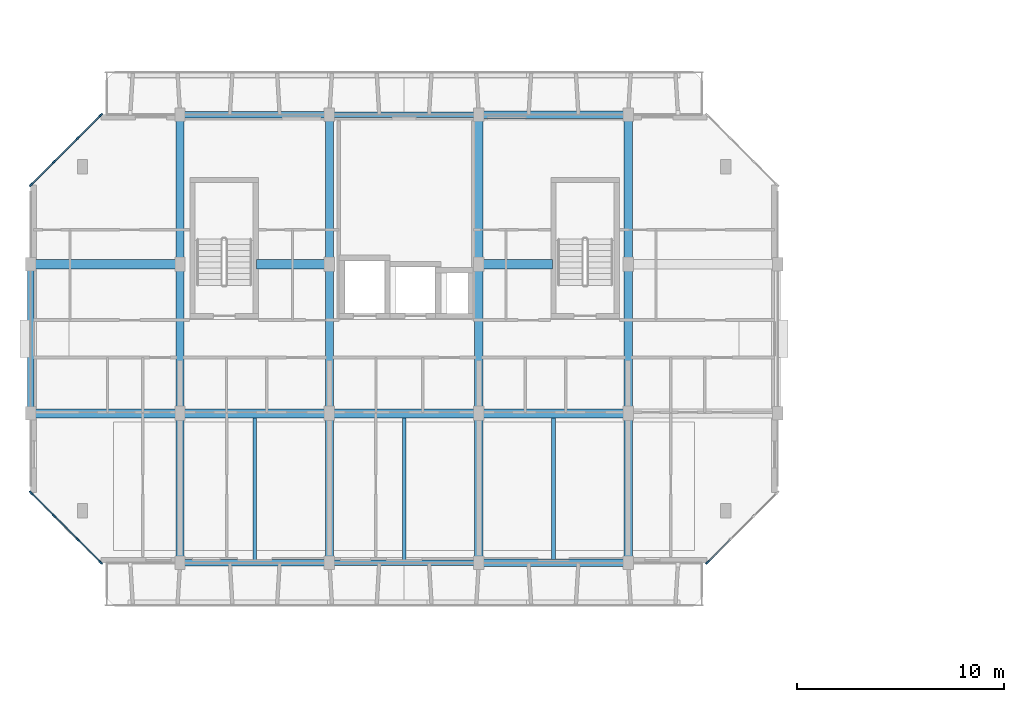
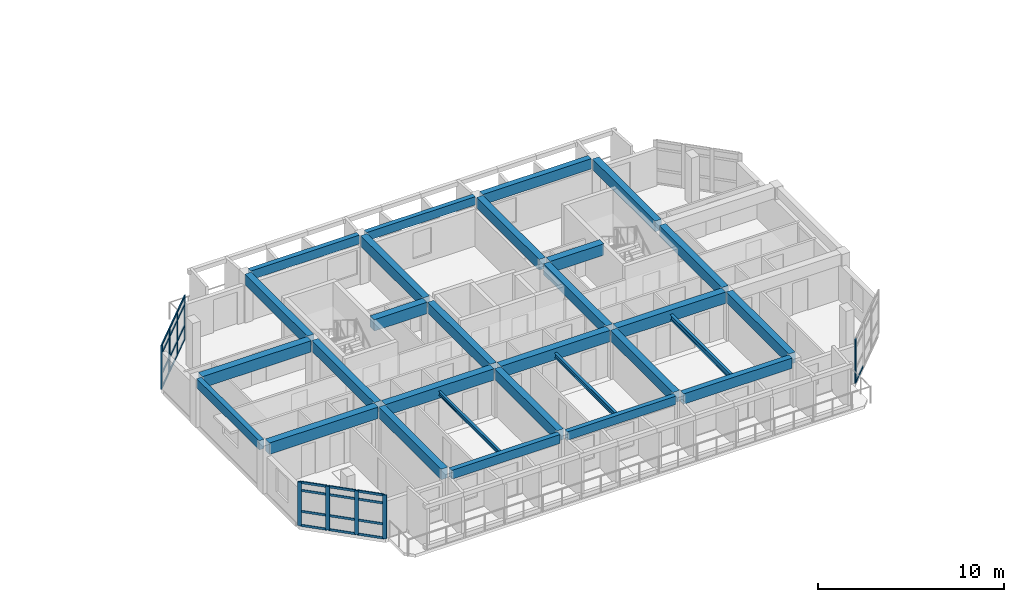
# One storey, part 6 of 64: 34 members, 29 beams, 3 elements without a shape of their own.
"""IFC4 building model written with IfcOpenShell, lengths in metres."""

import ifcopenshell
import ifcopenshell.guid

model = None  # the IFC model being written
_history = None  # IfcOwnerHistory: only IFC2X3 demands one
_inside = {}  # id of a spatial element -> (the spatial element, [elements in it])
_under = {}  # id of a project, library or spatial element -> (it, [spatial elements below it])
_declared = {}  # id of a project -> (the project, [libraries it declares])
_typed = {}  # id of a type object -> (the type object, [elements of that type])
_made_of = {}  # id of a material, layer set ... -> (it, [elements and type objects made of it])


def new_model(schema):
    """Start an empty IFC model of exactly this schema.

    Asked for "IFC4X3", IfcOpenShell would pick the latest addendum, in which some entities
    have other attributes; the version numbers below select the first issue.
    IFC2X3 requires an IfcOwnerHistory on every rooted entity: one is made here for all.
    """
    global model, _history
    if schema == "IFC4X3":
        model = ifcopenshell.file(schema_version=(4, 3, 0, 0))
    else:
        model = ifcopenshell.file(schema=schema)
    _inside.clear()
    _under.clear()
    _declared.clear()
    _typed.clear()
    _made_of.clear()
    _history = None
    if model.schema == "IFC2X3":
        org = make("IfcOrganization", Name="unknown")
        user = make(
            "IfcPersonAndOrganization",
            ThePerson=make("IfcPerson", FamilyName="unknown"),
            TheOrganization=org,
        )
        app = make(
            "IfcApplication",
            ApplicationDeveloper=org,
            Version="unknown",
            ApplicationFullName="unknown",
            ApplicationIdentifier="unknown",
        )
        _history = make(
            "IfcOwnerHistory",
            OwningUser=user,
            OwningApplication=app,
            ChangeAction="ADDED",
            CreationDate=0,
        )
    return model


def make(cls, **values):
    """One entity of the class cls with the attributes given. An attribute that is None is left unset."""
    return model.create_entity(
        cls, **{name: value for name, value in values.items() if value is not None}
    )


def rooted(cls, **values):
    """An entity with a GlobalId (a new one), such as an element, a storey or a relation."""
    return make(cls, GlobalId=ifcopenshell.guid.new(), OwnerHistory=_history, **values)


def si_unit(unit_type, name, prefix=None):
    """IfcSIUnit, for example si_unit("LENGTHUNIT", "METRE", prefix="MILLI")."""
    return make("IfcSIUnit", UnitType=unit_type, Prefix=prefix, Name=name)


def assignment(units):
    """IfcUnitAssignment: the units of a project."""
    return None if units is None else make("IfcUnitAssignment", Units=units)


def point(xyz):
    """IfcCartesianPoint."""
    return None if xyz is None else make("IfcCartesianPoint", Coordinates=xyz)


def direction(xyz):
    """IfcDirection."""
    return None if xyz is None else make("IfcDirection", DirectionRatios=xyz)


def frame(location, z_axis=None, x_axis=None):
    """IfcAxis2Placement3D, a coordinate frame: its origin and axes. An axis left out is left unset."""
    return make(
        "IfcAxis2Placement3D",
        Location=point(location),
        Axis=direction(z_axis),
        RefDirection=direction(x_axis),
    )


def frame_2d(location, x_axis=None):
    """IfcAxis2Placement2D, a coordinate frame in the plane: its origin and x axis."""
    return make(
        "IfcAxis2Placement2D", Location=point(location), RefDirection=direction(x_axis)
    )


def origin():
    """The frame at (0, 0, 0) with its axes left unset."""
    return frame((0.0, 0.0, 0.0))


def origin_2d():
    """The frame at (0, 0) in the plane with its x axis left unset."""
    return frame_2d((0.0, 0.0))


def place(relative_to, where):
    """IfcLocalPlacement: puts the frame where relative to a parent placement (None: the world)."""
    return make(
        "IfcLocalPlacement", PlacementRelTo=relative_to, RelativePlacement=where
    )


def context(
    kind, dimensions, precision=None, world=None, true_north=None, identifier=None
):
    """IfcGeometricRepresentationContext, for example the 3D "Model" context."""
    return make(
        "IfcGeometricRepresentationContext",
        ContextIdentifier=identifier,
        ContextType=kind,
        CoordinateSpaceDimension=dimensions,
        Precision=precision,
        WorldCoordinateSystem=world,
        TrueNorth=true_north,
    )


def subcontext(parent, identifier, kind, view, scale=None):
    """IfcGeometricRepresentationSubContext, for example "Body" below "Model"."""
    return make(
        "IfcGeometricRepresentationSubContext",
        ContextIdentifier=identifier,
        ContextType=kind,
        ParentContext=parent,
        TargetScale=scale,
        TargetView=view,
    )


def project(units=None, contexts=None):
    """IfcProject with its units and contexts."""
    return rooted(
        "IfcProject",
        Name="project",
        RepresentationContexts=contexts,
        UnitsInContext=assignment(units),
    )


def spatial(cls, under=None, at=None, **own):
    """A site, building, storey or space (cls), placed at a placement, below another one or the project."""
    s = rooted(cls, ObjectPlacement=at, **own)
    if under is not None:
        _under.setdefault(under.id(), (under, []))[1].append(s)
    return s


def profile(cls, at=None, kind="AREA", **sizes):
    """A parametric profile (cls). Its sizes go by their IFC names, for example OverallWidth=200.0."""
    return make(cls, ProfileType=kind, Position=at, **sizes)


def rectangle(**sizes):
    """IfcRectangleProfileDef."""
    return profile("IfcRectangleProfileDef", **sizes)


def i_section(**sizes):
    """IfcIShapeProfileDef."""
    return profile("IfcIShapeProfileDef", **sizes)


def extrude(swept, where, along, depth):
    """IfcExtrudedAreaSolid: the profile swept, set in the frame where, extruded along a direction by depth."""
    return make(
        "IfcExtrudedAreaSolid",
        SweptArea=swept,
        Position=where,
        ExtrudedDirection=direction(along),
        Depth=depth,
    )


def shape(context_of_items, identifier, shape_type, items):
    """IfcShapeRepresentation: the items that make up one representation, for example the "Body"."""
    return make(
        "IfcShapeRepresentation",
        ContextOfItems=context_of_items,
        RepresentationIdentifier=identifier,
        RepresentationType=shape_type,
        Items=items,
    )


def material(Name=None, Category=None):
    """IfcMaterial."""
    return make("IfcMaterial", Name=Name, Category=Category)


def layer(
    of_material, thickness, ventilated=None, Name=None, Category=None, Priority=None
):
    """IfcMaterialLayer: one layer of a wall or slab, of a material (None: an air gap)."""
    return make(
        "IfcMaterialLayer",
        Material=of_material,
        LayerThickness=thickness,
        IsVentilated=ventilated,
        Name=Name,
        Category=Category,
        Priority=Priority,
    )


def layer_set(layers, Name=None):
    """IfcMaterialLayerSet."""
    return make("IfcMaterialLayerSet", MaterialLayers=layers, LayerSetName=Name)


def material_profile(
    of_material, cross_section, Name=None, Category=None, Priority=None
):
    """IfcMaterialProfile: a cross section and its material."""
    return make(
        "IfcMaterialProfile",
        Name=Name,
        Material=of_material,
        Profile=cross_section,
        Priority=Priority,
        Category=Category,
    )


def profile_set(profiles, Name=None, composite=None):
    """IfcMaterialProfileSet."""
    return make(
        "IfcMaterialProfileSet",
        Name=Name,
        MaterialProfiles=profiles,
        CompositeProfile=composite,
    )


def made_of(thing, what):
    """Note that an element or type object is made of a material, layer set ...; save() writes the relation."""
    if what is not None:
        _made_of.setdefault(what.id(), (what, []))[1].append(thing)
    return thing


def type_object(cls, material=None, **own):
    """A type object (cls), such as IfcWallType, which elements share."""
    return made_of(rooted(cls, **own), material)


def element(
    cls,
    number,
    at=None,
    inside=None,
    cuts=None,
    type_object=None,
    material=None,
    context=None,
    identifier="Body",
    shape_type=None,
    held_by="IfcProductDefinitionShape",
    body=None,
    shapes=None,
    **own,
):
    """One element of the class cls, such as IfcWall. Its Tag is "e" and its number.

    at: its placement. inside: the storey or other place that contains it. cuts: it is an
    opening in that element (IfcRelVoidsElement). A single representation is given by context,
    identifier, shape_type and body (its items); several are given by shapes. held_by: the class
    of the entity that holds the representations. save() writes the other relations.
    """
    e = rooted(cls, Tag="e%d" % number, ObjectPlacement=at, **own)
    if body is not None:
        shapes = [shape(context, identifier, shape_type, body)]
    if shapes is not None:
        e.Representation = make(held_by, Representations=shapes)
    if inside is not None:
        _inside.setdefault(inside.id(), (inside, []))[1].append(e)
    if cuts is not None:
        rooted(
            "IfcRelVoidsElement", RelatingBuildingElement=cuts, RelatedOpeningElement=e
        )
    if type_object is not None:
        _typed.setdefault(type_object.id(), (type_object, []))[1].append(e)
    return made_of(e, material)


def aggregate(whole, parts):
    """IfcRelAggregates: a whole, such as a stair, and the parts it consists of."""
    return rooted("IfcRelAggregates", RelatingObject=whole, RelatedObjects=parts)


def save(model, path):
    """Write the relations noted so far, then the file.

    IfcRelAggregates (storeys below a building ...), IfcRelContainedInSpatialStructure (elements
    in a storey), IfcRelDefinesByType, IfcRelAssociatesMaterial and IfcRelDeclares: one each for
    every whole, place, type object, material and project.
    """
    for whole, parts in _under.values():
        aggregate(whole, parts)
    for where, things in _inside.values():
        rooted(
            "IfcRelContainedInSpatialStructure",
            RelatedElements=things,
            RelatingStructure=where,
        )
    for kind, things in _typed.values():
        rooted("IfcRelDefinesByType", RelatedObjects=things, RelatingType=kind)
    for what, things in _made_of.values():
        rooted("IfcRelAssociatesMaterial", RelatedObjects=things, RelatingMaterial=what)
    for by, libraries in _declared.values():
        rooted("IfcRelDeclares", RelatingContext=by, RelatedDefinitions=libraries)
    model.write(path)


model = new_model("IFC4")

# Units and contexts
model_context = context("Model", 3, precision=1e-05, world=origin(), true_north=direction((0.0, 1.0)))
body_context = subcontext(model_context, "Body", "Model", "MODEL_VIEW")
ifc_project = project(units=[si_unit("LENGTHUNIT", "METRE"), si_unit("AREAUNIT", "SQUARE_METRE"), si_unit("VOLUMEUNIT", "CUBIC_METRE"), si_unit("PLANEANGLEUNIT", "RADIAN"), si_unit("MASSUNIT", "GRAM", prefix="KILO")], contexts=[model_context])

# Site, building, storey
site_placement = place(None, origin())
site = spatial("IfcSite", under=ifc_project, at=site_placement, CompositionType="ELEMENT")
building_placement = place(site_placement, origin())
building = spatial("IfcBuilding", under=site, at=building_placement, Name="Ochrevale Crest", CompositionType="ELEMENT")
storey_placement = place(building_placement, frame((0.0, 0.0, 8.699951171875)))
storey = spatial("IfcBuildingStorey", under=building, at=storey_placement, Name="L02", CompositionType="ELEMENT", Elevation=8.699951171875)

# Beams
ifc_material_1 = material(Name="Precast concrete C50/60", Category="concrete")
ifc_material_profile_1 = material_profile(ifc_material_1, rectangle(XDim=0.39990234375, YDim=0.699951171875, at=origin_2d()), Name="PC 400x700")
ifc_profile_set_1 = profile_set([ifc_material_profile_1], Name="Precast concrete C50/60")
beam_type_1 = type_object("IfcBeamType", Name="BM-PC400x700", PredefinedType="BEAM", material=ifc_profile_set_1)
beam_1_placement = place(storey_placement, frame((7.199951171875, 14.6298828125, 2.800048828125), z_axis=(0.0, 1.0, 0.0), x_axis=(-1.0, 0.0, 0.0)))
element("IfcBeam", 1, at=beam_1_placement, inside=storey, type_object=beam_type_1, Name="Block A L02 N-S beam X=7.2", PredefinedType="BEAM", context=body_context, shape_type="SweptSolid", body=[
    extrude(rectangle(XDim=0.39990234375, YDim=0.699951171875, at=origin_2d()), origin(), (0.0, 0.0, 1.0), 6.740234375),
])
for number, where, z_axis, x_axis, name in (
    (2, (7.199951171875, 21.830078125, 2.800048828125), (0.0, 1.0, 0.0), (-1.0, 0.0, 0.0), "Block A L02 N-S beam X=7.2"),
    (3, (7.199951171875, 29.030029296875, 2.800048828125), (0.0, 1.0, 0.0), (-1.0, 0.0, 0.0), "Block A L02 N-S beam X=7.2"),
):
    element("IfcBeam", number, at=place(storey_placement, frame(where, z_axis=z_axis, x_axis=x_axis)), inside=storey, type_object=beam_type_1, Name=name, PredefinedType="BEAM", context=body_context, shape_type="SweptSolid", body=[
        extrude(rectangle(XDim=0.39990234375, YDim=0.699951171875, at=origin_2d()), origin(), (0.0, 0.0, 1.0), 6.739990234375),
    ])
beam_2_placement = place(storey_placement, frame((14.39990234375, 14.6298828125, 2.800048828125), z_axis=(0.0, 1.0, 0.0), x_axis=(-1.0, 0.0, 0.0)))
element("IfcBeam", 4, at=beam_2_placement, inside=storey, type_object=beam_type_1, Name="Block A L02 N-S beam X=14.4", PredefinedType="BEAM", context=body_context, shape_type="SweptSolid", body=[
    extrude(rectangle(XDim=0.39990234375, YDim=0.699951171875, at=origin_2d()), origin(), (0.0, 0.0, 1.0), 6.740234375),
])
for number, where, z_axis, x_axis, name in (
    (5, (14.39990234375, 21.830078125, 2.800048828125), (0.0, 1.0, 0.0), (-1.0, 0.0, 0.0), "Block A L02 N-S beam X=14.4"),
    (6, (14.39990234375, 29.030029296875, 2.800048828125), (0.0, 1.0, 0.0), (-1.0, 0.0, 0.0), "Block A L02 N-S beam X=14.4"),
):
    element("IfcBeam", number, at=place(storey_placement, frame(where, z_axis=z_axis, x_axis=x_axis)), inside=storey, type_object=beam_type_1, Name=name, PredefinedType="BEAM", context=body_context, shape_type="SweptSolid", body=[
        extrude(rectangle(XDim=0.39990234375, YDim=0.699951171875, at=origin_2d()), origin(), (0.0, 0.0, 1.0), 6.739990234375),
    ])
beam_3_placement = place(storey_placement, frame((21.60009765625, 14.6298828125, 2.800048828125), z_axis=(0.0, 1.0, 0.0), x_axis=(-1.0, 0.0, 0.0)))
element("IfcBeam", 7, at=beam_3_placement, inside=storey, type_object=beam_type_1, Name="Block A L02 N-S beam X=21.6", PredefinedType="BEAM", context=body_context, shape_type="SweptSolid", body=[
    extrude(rectangle(XDim=0.39990234375, YDim=0.699951171875, at=origin_2d()), origin(), (0.0, 0.0, 1.0), 6.740234375),
])
for number, where, z_axis, x_axis, name in (
    (8, (21.60009765625, 21.830078125, 2.800048828125), (0.0, 1.0, 0.0), (-1.0, 0.0, 0.0), "Block A L02 N-S beam X=21.6"),
    (9, (21.60009765625, 29.030029296875, 2.800048828125), (0.0, 1.0, 0.0), (-1.0, 0.0, 0.0), "Block A L02 N-S beam X=21.6"),
):
    element("IfcBeam", number, at=place(storey_placement, frame(where, z_axis=z_axis, x_axis=x_axis)), inside=storey, type_object=beam_type_1, Name=name, PredefinedType="BEAM", context=body_context, shape_type="SweptSolid", body=[
        extrude(rectangle(XDim=0.39990234375, YDim=0.699951171875, at=origin_2d()), origin(), (0.0, 0.0, 1.0), 6.739990234375),
    ])
beam_4_placement = place(storey_placement, frame((28.800048828125, 14.6298828125, 2.800048828125), z_axis=(0.0, 1.0, 0.0), x_axis=(-1.0, 0.0, 0.0)))
element("IfcBeam", 10, at=beam_4_placement, inside=storey, type_object=beam_type_1, Name="Block A L02 N-S beam X=28.8", PredefinedType="BEAM", context=body_context, shape_type="SweptSolid", body=[
    extrude(rectangle(XDim=0.39990234375, YDim=0.699951171875, at=origin_2d()), origin(), (0.0, 0.0, 1.0), 6.740234375),
])
for number, where, z_axis, x_axis, name in (
    (11, (28.800048828125, 21.830078125, 2.800048828125), (0.0, 1.0, 0.0), (-1.0, 0.0, 0.0), "Block A L02 N-S beam X=28.8"),
    (12, (28.800048828125, 29.030029296875, 2.800048828125), (0.0, 1.0, 0.0), (-1.0, 0.0, 0.0), "Block A L02 N-S beam X=28.8"),
):
    element("IfcBeam", number, at=place(storey_placement, frame(where, z_axis=z_axis, x_axis=x_axis)), inside=storey, type_object=beam_type_1, Name=name, PredefinedType="BEAM", context=body_context, shape_type="SweptSolid", body=[
        extrude(rectangle(XDim=0.39990234375, YDim=0.699951171875, at=origin_2d()), origin(), (0.0, 0.0, 1.0), 6.739990234375),
    ])
ifc_material_2 = material(Name="Concrete C50/60", Category="concrete")
ifc_material_profile_2 = material_profile(ifc_material_2, rectangle(XDim=0.449951171875, YDim=0.75, at=origin_2d()), Name="RC 450x750")
ifc_profile_set_2 = profile_set([ifc_material_profile_2], Name="Concrete C50/60")
beam_type_2 = type_object("IfcBeamType", Name="BM-PG450x750", PredefinedType="USERDEFINED", material=ifc_profile_set_2)
for number, where, z_axis, x_axis, name in (
    (13, (0.22509765625, 21.60009765625, 2.775146484375), (1.0, 0.0, 0.0), (0.0, 1.0, 0.0), "Block A L02 E-W beam Y=21.6"),
    (14, (7.425048828125, 21.60009765625, 2.775146484375), (1.0, 0.0, 0.0), (0.0, 1.0, 0.0), "Block A L02 E-W beam Y=21.6"),
    (15, (14.625, 21.60009765625, 2.775146484375), (1.0, 0.0, 0.0), (0.0, 1.0, 0.0), "Block A L02 E-W beam Y=21.6"),
    (16, (21.824951171875, 21.60009765625, 2.775146484375), (1.0, 0.0, 0.0), (0.0, 1.0, 0.0), "Block A L02 E-W beam Y=21.6"),
    (17, (0.22509765625, 28.800048828125, 2.775146484375), (1.0, 0.0, 0.0), (0.0, 1.0, 0.0), "Block A L02 E-W beam Y=28.8"),
):
    element("IfcBeam", number, at=place(storey_placement, frame(where, z_axis=z_axis, x_axis=x_axis)), inside=storey, type_object=beam_type_2, Name=name, ObjectType="GIRDER", PredefinedType="USERDEFINED", context=body_context, shape_type="SweptSolid", body=[
        extrude(rectangle(XDim=0.449951171875, YDim=0.75, at=origin_2d()), origin(), (0.0, 0.0, 1.0), 6.75),
    ])
beam_5_placement = place(storey_placement, frame((10.889892578125, 28.800048828125, 2.775146484375), z_axis=(1.0, 0.0, 0.0), x_axis=(0.0, 1.0, 0.0)))
element("IfcBeam", 18, at=beam_5_placement, inside=storey, type_object=beam_type_2, Name="Block A L02 E-W beam Y=28.8", ObjectType="GIRDER", PredefinedType="USERDEFINED", context=body_context, shape_type="SweptSolid", body=[
    extrude(rectangle(XDim=0.449951171875, YDim=0.75, at=origin_2d()), origin(), (0.0, 0.0, 1.0), 3.28515625),
])
beam_6_placement = place(storey_placement, frame((21.824951171875, 28.800048828125, 2.775146484375), z_axis=(1.0, 0.0, 0.0), x_axis=(0.0, 1.0, 0.0)))
element("IfcBeam", 19, at=beam_6_placement, inside=storey, type_object=beam_type_2, Name="Block A L02 E-W beam Y=28.8", ObjectType="GIRDER", PredefinedType="USERDEFINED", context=body_context, shape_type="SweptSolid", body=[
    extrude(rectangle(XDim=0.449951171875, YDim=0.75, at=origin_2d()), origin(), (0.0, 0.0, 1.0), 3.3349609375),
])
ifc_material_3 = material(Name="Precast concrete C40/50", Category="concrete")
ifc_material_profile_3 = material_profile(ifc_material_3, rectangle(XDim=0.280029296875, YDim=0.550048828125, at=origin_2d()), Name="PC 280x550")
ifc_profile_set_3 = profile_set([ifc_material_profile_3], Name="Precast concrete C40/50")
beam_type_3 = type_object("IfcBeamType", Name="BM-SP280x550", PredefinedType="SPANDREL", material=ifc_profile_set_3)
for number, where, z_axis, x_axis, name in (
    (20, (14.625, 14.39990234375, 2.875), (1.0, 0.0, 0.0), (0.0, 1.0, 0.0), "Block A L02 E-W beam Y=14.4"),
    (21, (14.625, 36.0, 2.875), (1.0, 0.0, 0.0), (0.0, 1.0, 0.0), "Block A L02 E-W beam Y=36.0"),
):
    element("IfcBeam", number, at=place(storey_placement, frame(where, z_axis=z_axis, x_axis=x_axis)), inside=storey, type_object=beam_type_3, Name=name, PredefinedType="SPANDREL", context=body_context, shape_type="SweptSolid", body=[
        extrude(rectangle(XDim=0.280029296875, YDim=0.550048828125, at=origin_2d()), origin(), (0.0, 0.0, 1.0), 6.75),
    ])
ifc_material_profile_4 = material_profile(ifc_material_3, rectangle(XDim=0.300048828125, YDim=0.580078125, at=origin_2d()), Name="PC 300x580")
ifc_profile_set_4 = profile_set([ifc_material_profile_4], Name="Precast concrete C40/50")
beam_type_4 = type_object("IfcBeamType", Name="BM-SP300x580", PredefinedType="SPANDREL", material=ifc_profile_set_4)
for number, where, z_axis, x_axis, name in (
    (22, (7.425048828125, 14.39990234375, 2.860107421875), (1.0, 0.0, 0.0), (0.0, 1.0, 0.0), "Block A L02 E-W beam Y=14.4"),
    (23, (7.425048828125, 36.0, 2.860107421875), (1.0, 0.0, 0.0), (0.0, 1.0, 0.0), "Block A L02 E-W beam Y=36.0"),
):
    element("IfcBeam", number, at=place(storey_placement, frame(where, z_axis=z_axis, x_axis=x_axis)), inside=storey, type_object=beam_type_4, Name=name, PredefinedType="SPANDREL", context=body_context, shape_type="SweptSolid", body=[
        extrude(rectangle(XDim=0.300048828125, YDim=0.580078125, at=origin_2d()), origin(), (0.0, 0.0, 1.0), 6.75),
    ])
ifc_material_profile_5 = material_profile(ifc_material_3, rectangle(XDim=0.300048828125, YDim=0.60009765625, at=origin_2d()), Name="PC 300x600")
ifc_profile_set_5 = profile_set([ifc_material_profile_5], Name="Precast concrete C40/50")
beam_type_5 = type_object("IfcBeamType", Name="BM-SP300x600", PredefinedType="SPANDREL", material=ifc_profile_set_5)
beam_7_placement = place(storey_placement, frame((0.0, 21.830078125, 2.85009765625), z_axis=(0.0, 1.0, 0.0), x_axis=(-1.0, 0.0, 0.0)))
element("IfcBeam", 24, at=beam_7_placement, inside=storey, type_object=beam_type_5, Name="Block A L02 N-S beam X=0.0", PredefinedType="SPANDREL", context=body_context, shape_type="SweptSolid", body=[
    extrude(rectangle(XDim=0.300048828125, YDim=0.60009765625, at=origin_2d()), origin(), (0.0, 0.0, 1.0), 6.739990234375),
])
ifc_material_profile_6 = material_profile(ifc_material_3, rectangle(XDim=0.35009765625, YDim=0.679931640625, at=origin_2d()), Name="PC 350x680")
ifc_profile_set_6 = profile_set([ifc_material_profile_6], Name="Precast concrete C40/50")
beam_type_6 = type_object("IfcBeamType", Name="BM-SP350x680", PredefinedType="SPANDREL", material=ifc_profile_set_6)
for number, where, z_axis, x_axis, name in (
    (25, (21.824951171875, 14.39990234375, 2.81005859375), (1.0, 0.0, 0.0), (0.0, 1.0, 0.0), "Block A L02 E-W beam Y=14.4"),
    (26, (21.824951171875, 36.0, 2.81005859375), (1.0, 0.0, 0.0), (0.0, 1.0, 0.0), "Block A L02 E-W beam Y=36.0"),
):
    element("IfcBeam", number, at=place(storey_placement, frame(where, z_axis=z_axis, x_axis=x_axis)), inside=storey, type_object=beam_type_6, Name=name, PredefinedType="SPANDREL", context=body_context, shape_type="SweptSolid", body=[
        extrude(rectangle(XDim=0.35009765625, YDim=0.679931640625, at=origin_2d()), origin(), (0.0, 0.0, 1.0), 6.75),
    ])
ifc_material_4 = material(Name="Steel S355", Category="steel")
ifc_material_profile_7 = material_profile(ifc_material_4, i_section(OverallWidth=0.146484375, OverallDepth=0.256103515625, WebThickness=0.00634765625, FlangeThickness=0.010986328125, FilletRadius=0.0087890625, at=origin_2d()), Name="250UB37.3")
ifc_profile_set_7 = profile_set([ifc_material_profile_7], Name="Steel S355")
beam_type_7 = type_object("IfcBeamType", Name="BM-UB250B", PredefinedType="JOIST", material=ifc_profile_set_7)
beam_8_placement = place(storey_placement, frame((10.800048828125, 14.5380859375, 2.7470703125), z_axis=(0.0, 1.0, 0.0), x_axis=(-1.0, 0.0, 0.0)))
element("IfcBeam", 27, at=beam_8_placement, inside=storey, type_object=beam_type_7, Name="Block A L02 composite plank trimmer beam 2", PredefinedType="JOIST", context=body_context, shape_type="SweptSolid", body=[
    extrude(i_section(OverallWidth=0.146484375, OverallDepth=0.256103515625, WebThickness=0.00634765625, FlangeThickness=0.010986328125, FilletRadius=0.0087890625, at=origin_2d()), origin(), (0.0, 0.0, 1.0), 6.848876953125),
])
ifc_material_profile_8 = material_profile(ifc_material_4, i_section(OverallWidth=0.1650390625, OverallDepth=0.3037109375, WebThickness=0.006103515625, FlangeThickness=0.01025390625, FilletRadius=0.011474609375, at=origin_2d()), Name="310UB40.4")
ifc_profile_set_8 = profile_set([ifc_material_profile_8], Name="Steel S355")
beam_type_8 = type_object("IfcBeamType", Name="BM-UB310A", PredefinedType="BEAM", material=ifc_profile_set_8)
beam_9_placement = place(storey_placement, frame((18.0, 14.528076171875, 2.72314453125), z_axis=(0.0, 1.0, 0.0), x_axis=(-1.0, 0.0, 0.0)))
element("IfcBeam", 28, at=beam_9_placement, inside=storey, type_object=beam_type_8, Name="Block A L02 composite plank trimmer beam 3", PredefinedType="BEAM", context=body_context, shape_type="SweptSolid", body=[
    extrude(i_section(OverallWidth=0.1650390625, OverallDepth=0.3037109375, WebThickness=0.006103515625, FlangeThickness=0.01025390625, FilletRadius=0.011474609375, at=origin_2d()), origin(), (0.0, 0.0, 1.0), 6.85888671875),
])
ifc_material_profile_9 = material_profile(ifc_material_4, i_section(OverallWidth=0.17138671875, OverallDepth=0.355712890625, WebThickness=0.00732421875, FlangeThickness=0.011474609375, FilletRadius=0.011474609375, at=origin_2d()), Name="360UB50.7")
ifc_profile_set_9 = profile_set([ifc_material_profile_9], Name="Steel S355")
beam_type_9 = type_object("IfcBeamType", Name="BM-UB360A", PredefinedType="BEAM", material=ifc_profile_set_9)
beam_10_placement = place(storey_placement, frame((25.199951171875, 14.56298828125, 2.697265625), z_axis=(0.0, 1.0, 0.0), x_axis=(-1.0, 0.0, 0.0)))
element("IfcBeam", 29, at=beam_10_placement, inside=storey, type_object=beam_type_9, Name="Block A L02 composite plank trimmer beam 4", PredefinedType="BEAM", context=body_context, shape_type="SweptSolid", body=[
    extrude(i_section(OverallWidth=0.17138671875, OverallDepth=0.355712890625, WebThickness=0.00732421875, FlangeThickness=0.011474609375, FilletRadius=0.011474609375, at=origin_2d()), origin(), (0.0, 0.0, 1.0), 6.823974609375),
])

# Curtain wall, member
ifc_material_5 = material(Name="Anodised aluminium 6063-T5", Category="aluminium")
ifc_layer_1 = layer(ifc_material_5, 0.14990234375)
ifc_layer_set_1 = layer_set([ifc_layer_1], Name="Anodised aluminium 6063-T5")
curtain_wall_type_1 = type_object("IfcCurtainWallType", Name="CW-WG-420x285", PredefinedType="NOTDEFINED", material=ifc_layer_set_1)
curtain_wall_1_placement = place(storey_placement, origin())
curtain_wall_1 = element("IfcCurtainWall", 30, at=curtain_wall_1_placement, inside=storey, type_object=curtain_wall_type_1, Name="Block A L02 chamfered corner wintergarden curtain wall 2", PredefinedType="NOTDEFINED")
ifc_material_profile_10 = material_profile(ifc_material_5, rectangle(XDim=0.074951171875, YDim=0.219970703125, at=origin_2d()), Name="ALU 75x220")
ifc_profile_set_10 = profile_set([ifc_material_profile_10], Name="Anodised aluminium 6063-T5")
member_type_1 = type_object("IfcMemberType", Name="CW-MUL-75x220", PredefinedType="MULLION", material=ifc_profile_set_10)
member_1_placement = place(storey_placement, frame((32.62646484375, 14.426513671875, 0.0), z_axis=(0.0, 0.0, 1.0), x_axis=(-0.707106781187, 0.707106781187, 0.0)))
member_1 = element("IfcMember", 31, at=member_1_placement, type_object=member_type_1, Name="CW22 mullion 1", PredefinedType="MULLION", context=body_context, shape_type="SweptSolid", body=[
    extrude(rectangle(XDim=0.074951171875, YDim=0.219970703125, at=origin_2d()), origin(), (0.0, 0.0, 1.0), 2.875),
])

# Curtain wall, members
ifc_layer_2 = layer(ifc_material_5, 0.14990234375)
ifc_layer_set_2 = layer_set([ifc_layer_2], Name="Anodised aluminium 6063-T5")
curtain_wall_type_2 = type_object("IfcCurtainWallType", Name="CW-WG-360x285", PredefinedType="NOTDEFINED", material=ifc_layer_set_2)
curtain_wall_2_placement = place(storey_placement, origin())
curtain_wall_2 = element("IfcCurtainWall", 32, at=curtain_wall_2_placement, inside=storey, type_object=curtain_wall_type_2, Name="Block A L02 chamfered corner wintergarden curtain wall 6", PredefinedType="NOTDEFINED")
member_2_placement = place(storey_placement, frame((3.37353515625, 35.973388671875, 0.0), z_axis=(0.0, 0.0, 1.0), x_axis=(0.707106781187, -0.707106781187, 0.0)))
member_2 = element("IfcMember", 33, at=member_2_placement, type_object=member_type_1, Name="CW18 mullion 1", PredefinedType="MULLION", context=body_context, shape_type="SweptSolid", body=[
    extrude(rectangle(XDim=0.074951171875, YDim=0.219970703125, at=origin_2d()), origin(), (0.0, 0.0, 1.0), 2.875),
])
member_3_placement = place(storey_placement, frame((2.2666015625, 34.86669921875, 0.0), z_axis=(0.0, 0.0, 1.0), x_axis=(0.707106781187, -0.707106781187, 0.0)))
member_3 = element("IfcMember", 34, at=member_3_placement, type_object=member_type_1, Name="CW18 mullion 2", PredefinedType="MULLION", context=body_context, shape_type="SweptSolid", body=[
    extrude(rectangle(XDim=0.074951171875, YDim=0.219970703125, at=origin_2d()), origin(), (0.0, 0.0, 1.0), 2.875),
])
member_4_placement = place(storey_placement, frame((1.13330078125, 33.7333984375, 0.0), z_axis=(0.0, 0.0, 1.0), x_axis=(0.707106781187, -0.707106781187, 0.0)))
member_4 = element("IfcMember", 35, at=member_4_placement, type_object=member_type_1, Name="CW18 mullion 3", PredefinedType="MULLION", context=body_context, shape_type="SweptSolid", body=[
    extrude(rectangle(XDim=0.074951171875, YDim=0.219970703125, at=origin_2d()), origin(), (0.0, 0.0, 1.0), 2.875),
])
member_5_placement = place(storey_placement, frame((0.026611328125, 32.62646484375, 0.0), z_axis=(0.0, 0.0, 1.0), x_axis=(0.707106781187, -0.707106781187, 0.0)))
member_5 = element("IfcMember", 36, at=member_5_placement, type_object=member_type_1, Name="CW18 mullion 4", PredefinedType="MULLION", context=body_context, shape_type="SweptSolid", body=[
    extrude(rectangle(XDim=0.074951171875, YDim=0.219970703125, at=origin_2d()), origin(), (0.0, 0.0, 1.0), 2.875),
])

ifc_layer_3 = layer(ifc_material_5, 0.14990234375)
ifc_layer_set_3 = layer_set([ifc_layer_3], Name="Anodised aluminium 6063-T5")
curtain_wall_type_3 = type_object("IfcCurtainWallType", Name="CW-WG-240x285", PredefinedType="NOTDEFINED", material=ifc_layer_set_3)
curtain_wall_3_placement = place(storey_placement, origin())
curtain_wall_3 = element("IfcCurtainWall", 37, at=curtain_wall_3_placement, inside=storey, type_object=curtain_wall_type_3, Name="Block A L02 chamfered corner wintergarden curtain wall 8", PredefinedType="NOTDEFINED")
member_6_placement = place(storey_placement, frame((0.026611328125, 17.7734375, 0.0), z_axis=(0.0, 0.0, 1.0), x_axis=(0.707106781187, 0.707106781187, 0.0)))
member_6 = element("IfcMember", 38, at=member_6_placement, type_object=member_type_1, Name="CW15 mullion 1", PredefinedType="MULLION", context=body_context, shape_type="SweptSolid", body=[
    extrude(rectangle(XDim=0.074951171875, YDim=0.219970703125, at=origin_2d()), origin(), (0.0, 0.0, 1.0), 2.875),
])
member_7_placement = place(storey_placement, frame((1.13330078125, 16.666748046875, 0.0), z_axis=(0.0, 0.0, 1.0), x_axis=(0.707106781187, 0.707106781187, 0.0)))
member_7 = element("IfcMember", 39, at=member_7_placement, type_object=member_type_1, Name="CW15 mullion 2", PredefinedType="MULLION", context=body_context, shape_type="SweptSolid", body=[
    extrude(rectangle(XDim=0.074951171875, YDim=0.219970703125, at=origin_2d()), origin(), (0.0, 0.0, 1.0), 2.875),
])
member_8_placement = place(storey_placement, frame((2.2666015625, 15.533447265625, 0.0), z_axis=(0.0, 0.0, 1.0), x_axis=(0.707106781187, 0.707106781187, 0.0)))
member_8 = element("IfcMember", 40, at=member_8_placement, type_object=member_type_1, Name="CW15 mullion 3", PredefinedType="MULLION", context=body_context, shape_type="SweptSolid", body=[
    extrude(rectangle(XDim=0.074951171875, YDim=0.219970703125, at=origin_2d()), origin(), (0.0, 0.0, 1.0), 2.875),
])
member_9_placement = place(storey_placement, frame((3.37353515625, 14.426513671875, 0.0), z_axis=(0.0, 0.0, 1.0), x_axis=(0.707106781187, 0.707106781187, 0.0)))
member_9 = element("IfcMember", 41, at=member_9_placement, type_object=member_type_1, Name="CW15 mullion 4", PredefinedType="MULLION", context=body_context, shape_type="SweptSolid", body=[
    extrude(rectangle(XDim=0.074951171875, YDim=0.219970703125, at=origin_2d()), origin(), (0.0, 0.0, 1.0), 2.875),
])

# Member
ifc_material_profile_11 = material_profile(ifc_material_5, rectangle(XDim=0.06005859375, YDim=0.14990234375, at=origin_2d()), Name="ALU 60x150")
ifc_profile_set_11 = profile_set([ifc_material_profile_11], Name="Anodised aluminium 6063-T5")
member_type_2 = type_object("IfcMemberType", Name="CW-TRN-60x150", PredefinedType="USERDEFINED", material=ifc_profile_set_11)
member_10_placement = place(storey_placement, frame((32.653076171875, 14.453125, 0.030029296875), z_axis=(0.707106781187, 0.707106781187, 0.0), x_axis=(-0.707106781187, 0.707106781187, 0.0)))
member_10 = element("IfcMember", 42, at=member_10_placement, type_object=member_type_2, Name="CW22 transom 1.1", ObjectType="TRANSOM", PredefinedType="USERDEFINED", context=body_context, shape_type="SweptSolid", body=[
    extrude(rectangle(XDim=0.06005859375, YDim=0.14990234375, at=origin_2d()), origin(), (0.0, 0.0, 1.0), 1.490234375),
])

aggregate(curtain_wall_1, [member_1, member_10])

member_11_placement = place(storey_placement, frame((3.346923828125, 35.947021484375, 0.030029296875), z_axis=(-0.70702486902, -0.707188683865, 0.0), x_axis=(0.707188683865, -0.70702486902, 0.0)))
member_11 = element("IfcMember", 43, at=member_11_placement, type_object=member_type_2, Name="CW18 transom 1.1", ObjectType="TRANSOM", PredefinedType="USERDEFINED", context=body_context, shape_type="SweptSolid", body=[
    extrude(rectangle(XDim=0.06005859375, YDim=0.14990234375, at=origin_2d()), origin(), (0.0, 0.0, 1.0), 1.490234375),
])

member_12_placement = place(storey_placement, frame((3.346923828125, 35.947021484375, 0.949951171875), z_axis=(-0.70702486902, -0.707188683865, 0.0), x_axis=(0.707188683865, -0.70702486902, 0.0)))
member_12 = element("IfcMember", 44, at=member_12_placement, type_object=member_type_2, Name="CW18 transom 1.2", ObjectType="TRANSOM", PredefinedType="USERDEFINED", context=body_context, shape_type="SweptSolid", body=[
    extrude(rectangle(XDim=0.06005859375, YDim=0.14990234375, at=origin_2d()), origin(), (0.0, 0.0, 1.0), 1.490234375),
])

member_13_placement = place(storey_placement, frame((3.346923828125, 35.947021484375, 2.324951171875), z_axis=(-0.70702486902, -0.707188683865, 0.0), x_axis=(0.707188683865, -0.70702486902, 0.0)))
member_13 = element("IfcMember", 45, at=member_13_placement, type_object=member_type_2, Name="CW18 transom 1.3", ObjectType="TRANSOM", PredefinedType="USERDEFINED", context=body_context, shape_type="SweptSolid", body=[
    extrude(rectangle(XDim=0.06005859375, YDim=0.14990234375, at=origin_2d()), origin(), (0.0, 0.0, 1.0), 1.490234375),
])

member_14_placement = place(storey_placement, frame((3.346923828125, 35.947021484375, 2.844970703125), z_axis=(-0.70702486902, -0.707188683865, 0.0), x_axis=(0.707188683865, -0.70702486902, 0.0)))
member_14 = element("IfcMember", 46, at=member_14_placement, type_object=member_type_2, Name="CW18 transom 1.4", ObjectType="TRANSOM", PredefinedType="USERDEFINED", context=body_context, shape_type="SweptSolid", body=[
    extrude(rectangle(XDim=0.06005859375, YDim=0.14990234375, at=origin_2d()), origin(), (0.0, 0.0, 1.0), 1.490234375),
])

member_15_placement = place(storey_placement, frame((2.240234375, 34.840087890625, 0.030029296875), z_axis=(-0.707106781187, -0.707106781187, 0.0), x_axis=(0.707106781187, -0.707106781187, 0.0)))
member_15 = element("IfcMember", 47, at=member_15_placement, type_object=member_type_2, Name="CW18 transom 2.1", ObjectType="TRANSOM", PredefinedType="USERDEFINED", context=body_context, shape_type="SweptSolid", body=[
    extrude(rectangle(XDim=0.06005859375, YDim=0.14990234375, at=origin_2d()), origin(), (0.0, 0.0, 1.0), 1.52783203125),
])

member_16_placement = place(storey_placement, frame((2.240234375, 34.840087890625, 0.949951171875), z_axis=(-0.707106781187, -0.707106781187, 0.0), x_axis=(0.707106781187, -0.707106781187, 0.0)))
member_16 = element("IfcMember", 48, at=member_16_placement, type_object=member_type_2, Name="CW18 transom 2.2", ObjectType="TRANSOM", PredefinedType="USERDEFINED", context=body_context, shape_type="SweptSolid", body=[
    extrude(rectangle(XDim=0.06005859375, YDim=0.14990234375, at=origin_2d()), origin(), (0.0, 0.0, 1.0), 1.52783203125),
])

member_17_placement = place(storey_placement, frame((2.240234375, 34.840087890625, 2.324951171875), z_axis=(-0.707106781187, -0.707106781187, 0.0), x_axis=(0.707106781187, -0.707106781187, 0.0)))
member_17 = element("IfcMember", 49, at=member_17_placement, type_object=member_type_2, Name="CW18 transom 2.3", ObjectType="TRANSOM", PredefinedType="USERDEFINED", context=body_context, shape_type="SweptSolid", body=[
    extrude(rectangle(XDim=0.06005859375, YDim=0.14990234375, at=origin_2d()), origin(), (0.0, 0.0, 1.0), 1.52783203125),
])

member_18_placement = place(storey_placement, frame((2.240234375, 34.840087890625, 2.844970703125), z_axis=(-0.707106781187, -0.707106781187, 0.0), x_axis=(0.707106781187, -0.707106781187, 0.0)))
member_18 = element("IfcMember", 50, at=member_18_placement, type_object=member_type_2, Name="CW18 transom 2.4", ObjectType="TRANSOM", PredefinedType="USERDEFINED", context=body_context, shape_type="SweptSolid", body=[
    extrude(rectangle(XDim=0.06005859375, YDim=0.14990234375, at=origin_2d()), origin(), (0.0, 0.0, 1.0), 1.52783203125),
])

member_19_placement = place(storey_placement, frame((1.10693359375, 33.706787109375, 0.030029296875), z_axis=(-0.707188683865, -0.70702486902, 0.0), x_axis=(0.70702486902, -0.707188683865, 0.0)))
member_19 = element("IfcMember", 51, at=member_19_placement, type_object=member_type_2, Name="CW18 transom 3.1", ObjectType="TRANSOM", PredefinedType="USERDEFINED", context=body_context, shape_type="SweptSolid", body=[
    extrude(rectangle(XDim=0.06005859375, YDim=0.14990234375, at=origin_2d()), origin(), (0.0, 0.0, 1.0), 1.490234375),
])

member_20_placement = place(storey_placement, frame((1.10693359375, 33.706787109375, 0.949951171875), z_axis=(-0.707188683865, -0.70702486902, 0.0), x_axis=(0.70702486902, -0.707188683865, 0.0)))
member_20 = element("IfcMember", 52, at=member_20_placement, type_object=member_type_2, Name="CW18 transom 3.2", ObjectType="TRANSOM", PredefinedType="USERDEFINED", context=body_context, shape_type="SweptSolid", body=[
    extrude(rectangle(XDim=0.06005859375, YDim=0.14990234375, at=origin_2d()), origin(), (0.0, 0.0, 1.0), 1.490234375),
])

member_21_placement = place(storey_placement, frame((1.10693359375, 33.706787109375, 2.324951171875), z_axis=(-0.707188683865, -0.70702486902, 0.0), x_axis=(0.70702486902, -0.707188683865, 0.0)))
member_21 = element("IfcMember", 53, at=member_21_placement, type_object=member_type_2, Name="CW18 transom 3.3", ObjectType="TRANSOM", PredefinedType="USERDEFINED", context=body_context, shape_type="SweptSolid", body=[
    extrude(rectangle(XDim=0.06005859375, YDim=0.14990234375, at=origin_2d()), origin(), (0.0, 0.0, 1.0), 1.490234375),
])

member_22_placement = place(storey_placement, frame((1.10693359375, 33.706787109375, 2.844970703125), z_axis=(-0.707188683865, -0.70702486902, 0.0), x_axis=(0.70702486902, -0.707188683865, 0.0)))
member_22 = element("IfcMember", 54, at=member_22_placement, type_object=member_type_2, Name="CW18 transom 3.4", ObjectType="TRANSOM", PredefinedType="USERDEFINED", context=body_context, shape_type="SweptSolid", body=[
    extrude(rectangle(XDim=0.06005859375, YDim=0.14990234375, at=origin_2d()), origin(), (0.0, 0.0, 1.0), 1.490234375),
])

aggregate(curtain_wall_2, [member_2, member_3, member_4, member_5, member_11, member_12, member_13, member_14, member_15, member_16, member_17, member_18, member_19, member_20, member_21, member_22])

member_23_placement = place(storey_placement, frame((0.052978515625, 17.7470703125, 0.030029296875), z_axis=(0.707106781187, -0.707106781187, 0.0), x_axis=(0.707106781187, 0.707106781187, 0.0)))
member_23 = element("IfcMember", 55, at=member_23_placement, type_object=member_type_2, Name="CW15 transom 1.1", ObjectType="TRANSOM", PredefinedType="USERDEFINED", context=body_context, shape_type="SweptSolid", body=[
    extrude(rectangle(XDim=0.06005859375, YDim=0.14990234375, at=origin_2d()), origin(), (0.0, 0.0, 1.0), 1.490478515625),
])

member_24_placement = place(storey_placement, frame((0.052978515625, 17.7470703125, 0.949951171875), z_axis=(0.707106781187, -0.707106781187, 0.0), x_axis=(0.707106781187, 0.707106781187, 0.0)))
member_24 = element("IfcMember", 56, at=member_24_placement, type_object=member_type_2, Name="CW15 transom 1.2", ObjectType="TRANSOM", PredefinedType="USERDEFINED", context=body_context, shape_type="SweptSolid", body=[
    extrude(rectangle(XDim=0.06005859375, YDim=0.14990234375, at=origin_2d()), origin(), (0.0, 0.0, 1.0), 1.490478515625),
])

member_25_placement = place(storey_placement, frame((0.052978515625, 17.7470703125, 2.324951171875), z_axis=(0.707106781187, -0.707106781187, 0.0), x_axis=(0.707106781187, 0.707106781187, 0.0)))
member_25 = element("IfcMember", 57, at=member_25_placement, type_object=member_type_2, Name="CW15 transom 1.3", ObjectType="TRANSOM", PredefinedType="USERDEFINED", context=body_context, shape_type="SweptSolid", body=[
    extrude(rectangle(XDim=0.06005859375, YDim=0.14990234375, at=origin_2d()), origin(), (0.0, 0.0, 1.0), 1.490478515625),
])

member_26_placement = place(storey_placement, frame((0.052978515625, 17.7470703125, 2.844970703125), z_axis=(0.707106781187, -0.707106781187, 0.0), x_axis=(0.707106781187, 0.707106781187, 0.0)))
member_26 = element("IfcMember", 58, at=member_26_placement, type_object=member_type_2, Name="CW15 transom 1.4", ObjectType="TRANSOM", PredefinedType="USERDEFINED", context=body_context, shape_type="SweptSolid", body=[
    extrude(rectangle(XDim=0.06005859375, YDim=0.14990234375, at=origin_2d()), origin(), (0.0, 0.0, 1.0), 1.490478515625),
])

member_27_placement = place(storey_placement, frame((1.159912109375, 16.64013671875, 0.030029296875), z_axis=(0.707106781187, -0.707106781187, 0.0), x_axis=(0.707106781187, 0.707106781187, 0.0)))
member_27 = element("IfcMember", 59, at=member_27_placement, type_object=member_type_2, Name="CW15 transom 2.1", ObjectType="TRANSOM", PredefinedType="USERDEFINED", context=body_context, shape_type="SweptSolid", body=[
    extrude(rectangle(XDim=0.06005859375, YDim=0.14990234375, at=origin_2d()), origin(), (0.0, 0.0, 1.0), 1.52783203125),
])

member_28_placement = place(storey_placement, frame((1.159912109375, 16.64013671875, 0.949951171875), z_axis=(0.707106781187, -0.707106781187, 0.0), x_axis=(0.707106781187, 0.707106781187, 0.0)))
member_28 = element("IfcMember", 60, at=member_28_placement, type_object=member_type_2, Name="CW15 transom 2.2", ObjectType="TRANSOM", PredefinedType="USERDEFINED", context=body_context, shape_type="SweptSolid", body=[
    extrude(rectangle(XDim=0.06005859375, YDim=0.14990234375, at=origin_2d()), origin(), (0.0, 0.0, 1.0), 1.52783203125),
])

member_29_placement = place(storey_placement, frame((1.159912109375, 16.64013671875, 2.324951171875), z_axis=(0.707106781187, -0.707106781187, 0.0), x_axis=(0.707106781187, 0.707106781187, 0.0)))
member_29 = element("IfcMember", 61, at=member_29_placement, type_object=member_type_2, Name="CW15 transom 2.3", ObjectType="TRANSOM", PredefinedType="USERDEFINED", context=body_context, shape_type="SweptSolid", body=[
    extrude(rectangle(XDim=0.06005859375, YDim=0.14990234375, at=origin_2d()), origin(), (0.0, 0.0, 1.0), 1.52783203125),
])

member_30_placement = place(storey_placement, frame((1.159912109375, 16.64013671875, 2.844970703125), z_axis=(0.707106781187, -0.707106781187, 0.0), x_axis=(0.707106781187, 0.707106781187, 0.0)))
member_30 = element("IfcMember", 62, at=member_30_placement, type_object=member_type_2, Name="CW15 transom 2.4", ObjectType="TRANSOM", PredefinedType="USERDEFINED", context=body_context, shape_type="SweptSolid", body=[
    extrude(rectangle(XDim=0.06005859375, YDim=0.14990234375, at=origin_2d()), origin(), (0.0, 0.0, 1.0), 1.52783203125),
])

member_31_placement = place(storey_placement, frame((2.293212890625, 15.5068359375, 0.030029296875), z_axis=(0.707106781187, -0.707106781187, 0.0), x_axis=(0.707106781187, 0.707106781187, 0.0)))
member_31 = element("IfcMember", 63, at=member_31_placement, type_object=member_type_2, Name="CW15 transom 3.1", ObjectType="TRANSOM", PredefinedType="USERDEFINED", context=body_context, shape_type="SweptSolid", body=[
    extrude(rectangle(XDim=0.06005859375, YDim=0.14990234375, at=origin_2d()), origin(), (0.0, 0.0, 1.0), 1.490234375),
])

member_32_placement = place(storey_placement, frame((2.293212890625, 15.5068359375, 0.949951171875), z_axis=(0.707106781187, -0.707106781187, 0.0), x_axis=(0.707106781187, 0.707106781187, 0.0)))
member_32 = element("IfcMember", 64, at=member_32_placement, type_object=member_type_2, Name="CW15 transom 3.2", ObjectType="TRANSOM", PredefinedType="USERDEFINED", context=body_context, shape_type="SweptSolid", body=[
    extrude(rectangle(XDim=0.06005859375, YDim=0.14990234375, at=origin_2d()), origin(), (0.0, 0.0, 1.0), 1.490234375),
])

member_33_placement = place(storey_placement, frame((2.293212890625, 15.5068359375, 2.324951171875), z_axis=(0.707106781187, -0.707106781187, 0.0), x_axis=(0.707106781187, 0.707106781187, 0.0)))
member_33 = element("IfcMember", 65, at=member_33_placement, type_object=member_type_2, Name="CW15 transom 3.3", ObjectType="TRANSOM", PredefinedType="USERDEFINED", context=body_context, shape_type="SweptSolid", body=[
    extrude(rectangle(XDim=0.06005859375, YDim=0.14990234375, at=origin_2d()), origin(), (0.0, 0.0, 1.0), 1.490234375),
])

member_34_placement = place(storey_placement, frame((2.293212890625, 15.5068359375, 2.844970703125), z_axis=(0.707106781187, -0.707106781187, 0.0), x_axis=(0.707106781187, 0.707106781187, 0.0)))
member_34 = element("IfcMember", 66, at=member_34_placement, type_object=member_type_2, Name="CW15 transom 3.4", ObjectType="TRANSOM", PredefinedType="USERDEFINED", context=body_context, shape_type="SweptSolid", body=[
    extrude(rectangle(XDim=0.06005859375, YDim=0.14990234375, at=origin_2d()), origin(), (0.0, 0.0, 1.0), 1.490234375),
])

aggregate(curtain_wall_3, [member_6, member_7, member_8, member_9, member_23, member_24, member_25, member_26, member_27, member_28, member_29, member_30, member_31, member_32, member_33, member_34])

save(model, "model.ifc")
